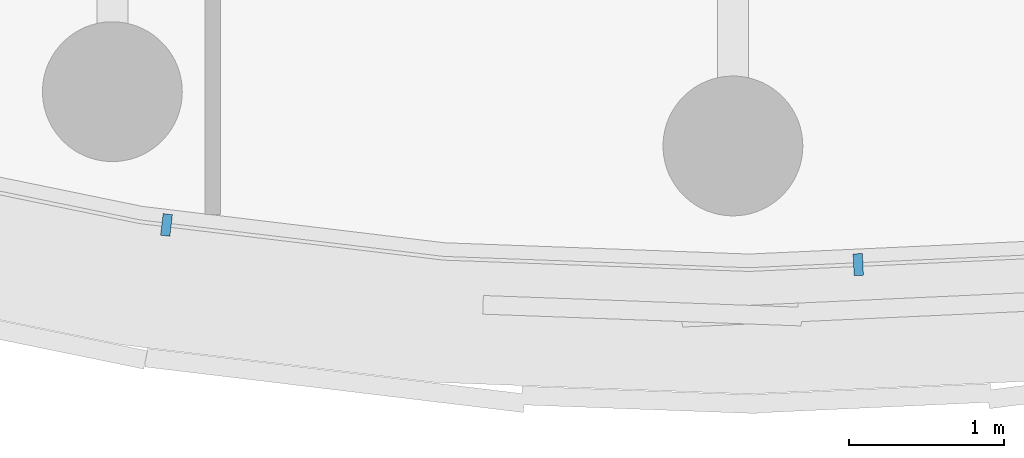
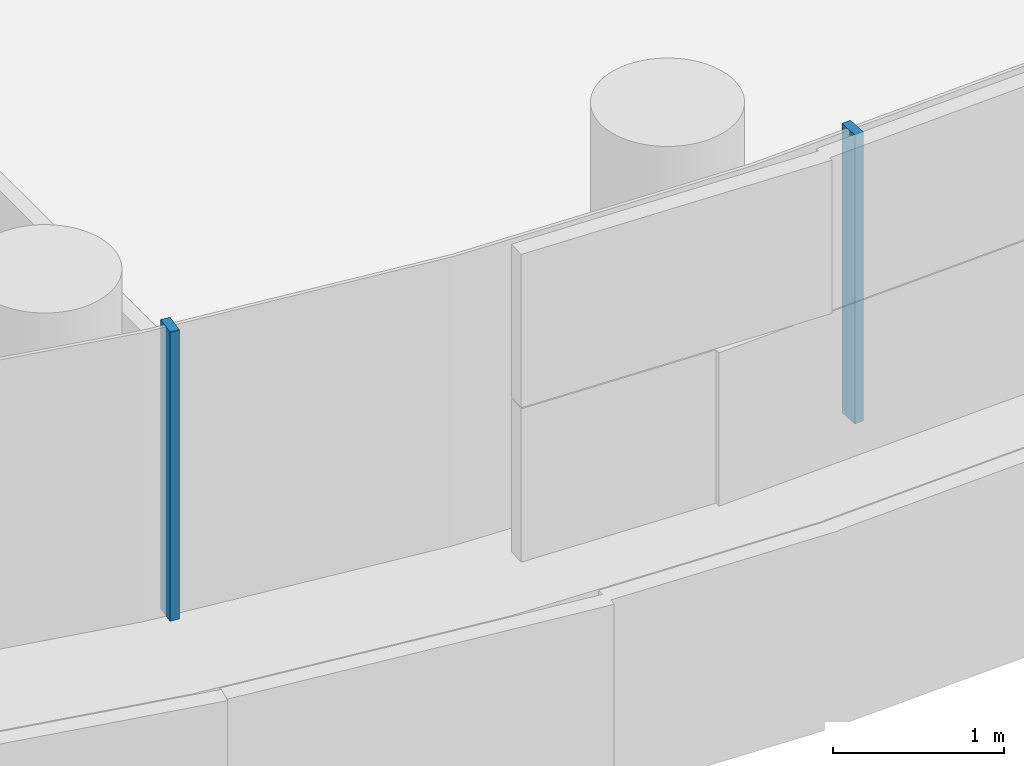
# One storey, part 6 of 27: 2 members, 1 element without a shape of its own.
"""IFC4 building model written with IfcOpenShell, lengths in metres."""

from ifc_helpers import new_model, si_unit, direction, frame, origin, origin_2d, place, context, subcontext, project, spatial, rectangle, extrude, material, layer, layer_set, material_profile, profile_set, type_object, element, aggregate, save


model = new_model("IFC4")

# Units and contexts
model_context = context("Model", 3, precision=1e-05, world=origin(), true_north=direction((0.0, 1.0)))
body_context = subcontext(model_context, "Body", "Model", "MODEL_VIEW")
ifc_project = project(units=[si_unit("LENGTHUNIT", "METRE"), si_unit("AREAUNIT", "SQUARE_METRE"), si_unit("VOLUMEUNIT", "CUBIC_METRE"), si_unit("PLANEANGLEUNIT", "RADIAN"), si_unit("MASSUNIT", "GRAM", prefix="KILO")], contexts=[model_context])

# Site, building, storey
site_placement = place(None, origin())
site = spatial("IfcSite", under=ifc_project, at=site_placement, CompositionType="ELEMENT")
building_placement = place(site_placement, origin())
building = spatial("IfcBuilding", under=site, at=building_placement, Name="Tamarind Cross Interchange Tower", CompositionType="ELEMENT")
storey_placement = place(building_placement, frame((0.0, 0.0, 230.699951171875)))
storey = spatial("IfcBuildingStorey", under=building, at=storey_placement, Name="L58", CompositionType="ELEMENT", Elevation=230.699951171875)

# Curtain wall, members
ifc_material = material(Name="Aluminium 6063-T6", Category="aluminium")
ifc_layer = layer(ifc_material, 0.139892578125)
ifc_layer_set = layer_set([ifc_layer], Name="Aluminium 6063-T6")
curtain_wall_type = type_object("IfcCurtainWallType", Name="Hotel curtain wall, 4.5 m bays", PredefinedType="NOTDEFINED", material=ifc_layer_set)
curtain_wall_placement = place(storey_placement, origin())
curtain_wall = element("IfcCurtainWall", 1, at=curtain_wall_placement, inside=storey, type_object=curtain_wall_type, Name="CWS-L58-02", PredefinedType="NOTDEFINED")
ifc_material_profile = material_profile(ifc_material, rectangle(XDim=0.06005859375, YDim=0.139892578125, at=origin_2d()), Name="Mullion CW2")
ifc_profile_set = profile_set([ifc_material_profile], Name="Aluminium 6063-T6")
member_type = type_object("IfcMemberType", Name="Mullion CW2", PredefinedType="MULLION", material=ifc_profile_set)
member_1_placement = place(storey_placement, frame((-3.6455078125, -23.50830078125, 1.400146484375), z_axis=(0.0, 0.0, 1.0), x_axis=(0.992843710523, -0.119420963295, 0.0)))
member_1 = element("IfcMember", 2, at=member_1_placement, type_object=member_type, Name="CWM-L58-02-05", PredefinedType="MULLION", context=body_context, shape_type="SweptSolid", body=[
    extrude(rectangle(XDim=0.06005859375, YDim=0.139892578125, at=origin_2d()), origin(), (0.0, 0.0, 1.0), 2.059814453125),
])
member_2_placement = place(storey_placement, frame((0.806640625, -23.763427734375, 1.400146484375), z_axis=(0.0, 0.0, 1.0), x_axis=(0.998958660912, 0.045624486728, 0.0)))
member_2 = element("IfcMember", 3, at=member_2_placement, type_object=member_type, Name="CWM-L58-02-06", PredefinedType="MULLION", context=body_context, shape_type="SweptSolid", body=[
    extrude(rectangle(XDim=0.06005859375, YDim=0.139892578125, at=origin_2d()), origin(), (0.0, 0.0, 1.0), 2.059814453125),
])
aggregate(curtain_wall, [member_1, member_2])

save(model, "model.ifc")
